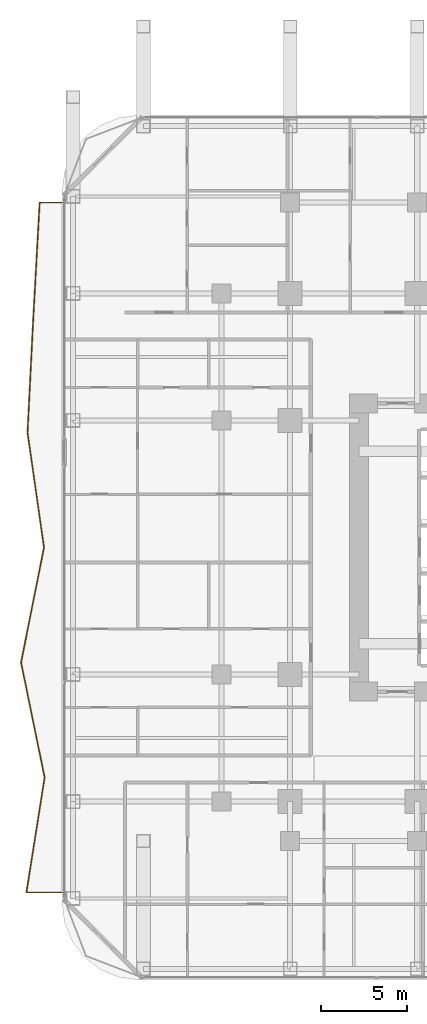
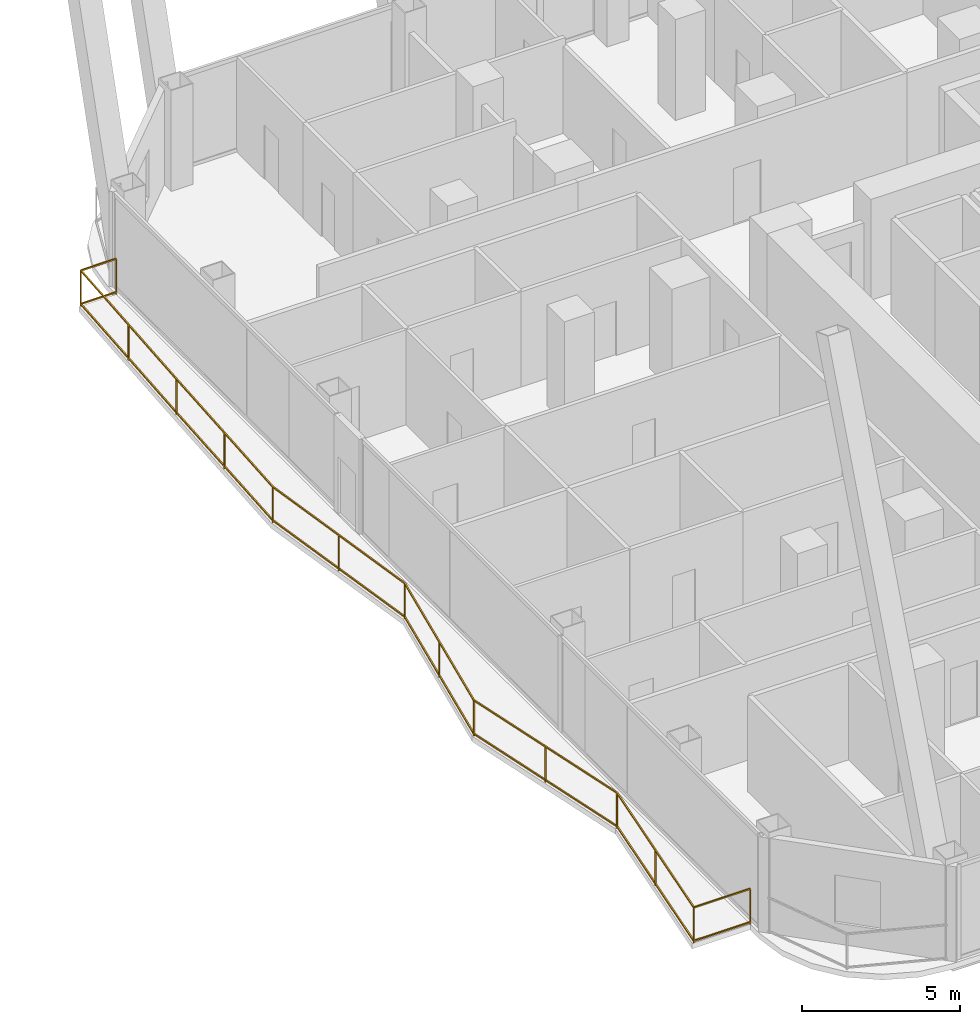
# One storey, part 30 of 33: 1 railing.
"""IFC4 building model written with IfcOpenShell, lengths in metres."""

from ifc_helpers import new_model, si_unit, direction, frame, origin, origin_2d, place, context, subcontext, project, spatial, rectangle, extrude, material, type_object, element, save


model = new_model("IFC4")

# Units and contexts
model_context = context("Model", 3, precision=1e-05, world=origin(), true_north=direction((0.0, 1.0)))
body_context = subcontext(model_context, "Body", "Model", "MODEL_VIEW")
ifc_project = project(units=[si_unit("LENGTHUNIT", "METRE"), si_unit("AREAUNIT", "SQUARE_METRE"), si_unit("VOLUMEUNIT", "CUBIC_METRE"), si_unit("PLANEANGLEUNIT", "RADIAN"), si_unit("MASSUNIT", "GRAM", prefix="KILO")], contexts=[model_context])

# Site, building, storey
site_placement = place(None, origin())
site = spatial("IfcSite", under=ifc_project, at=site_placement, CompositionType="ELEMENT")
building_placement = place(site_placement, origin())
building = spatial("IfcBuilding", under=site, at=building_placement, Name="Khorvyn Point Tower", CompositionType="ELEMENT")
storey_placement = place(building_placement, frame((0.0, 0.0, 65.699951171875)))
storey = spatial("IfcBuildingStorey", under=building, at=storey_placement, Name="L17", CompositionType="ELEMENT", Elevation=65.699951171875)

# Railing
ifc_material = material(Name="Anodised aluminium 6063-T6 and laminated safety glass", Category="aluminium")
railing_type = type_object("IfcRailingType", Name="Laminated Glass and Aluminium Balcony Guardrail 1400", PredefinedType="BALUSTRADE", material=ifc_material)
railing_placement = place(storey_placement, frame((-28.10009765625, 20.10009765625, 0.0)))
element("IfcRailing", 1, at=railing_placement, inside=storey, type_object=railing_type, Name="L17 West Balcony Guardrail", PredefinedType="BALUSTRADE", context=body_context, shape_type="SweptSolid", body=[
    extrude(rectangle(XDim=0.048095703125, YDim=0.048095703125, at=origin_2d()), frame((0.0, 0.0, 1.3759765625), z_axis=(-1.0, 0.0, 0.0), x_axis=(0.0, -1.0, 0.0)), (0.0, 0.0, 1.0), 1.294921875),
    extrude(rectangle(XDim=0.048095703125, YDim=0.048095703125, at=origin_2d()), frame((0.0, 0.0, 0.080078125), z_axis=(-1.0, 0.0, 0.0), x_axis=(0.0, -1.0, 0.0)), (0.0, 0.0, 1.0), 1.294921875),
    extrude(rectangle(XDim=0.048095703125, YDim=0.048095703125, at=origin_2d()), frame((-1.294921875, 0.0, 1.3759765625), z_axis=(-0.055445839712, -0.99846169624, 0.0), x_axis=(0.99846169624, -0.055445839713, 0.0)), (0.0, 0.0, 1.0), 6.71044921875),
    extrude(rectangle(XDim=0.048095703125, YDim=0.048095703125, at=origin_2d()), frame((-1.294921875, 0.0, 0.080078125), z_axis=(-0.055445839712, -0.99846169624, 0.0), x_axis=(0.99846169624, -0.055445839713, 0.0)), (0.0, 0.0, 1.0), 6.71044921875),
    extrude(rectangle(XDim=0.048095703125, YDim=0.048095703125, at=origin_2d()), frame((-1.6669921875, -6.7001953125, 1.3759765625), z_axis=(-0.050149985773, -0.998741697801, 0.0), x_axis=(0.998741697801, -0.050149985773, 0.0)), (0.0, 0.0, 1.0), 6.70849609375),
    extrude(rectangle(XDim=0.048095703125, YDim=0.048095703125, at=origin_2d()), frame((-1.6669921875, -6.7001953125, 0.080078125), z_axis=(-0.050149985773, -0.998741697801, 0.0), x_axis=(0.998741697801, -0.050149985773, 0.0)), (0.0, 0.0, 1.0), 6.70849609375),
    extrude(rectangle(XDim=0.048095703125, YDim=0.048095703125, at=origin_2d()), frame((-2.00341796875, -13.400146484375, 1.3759765625), z_axis=(0.141724348985, -0.989906161666, 0.0), x_axis=(0.989906161666, 0.141724348985, 0.0)), (0.0, 0.0, 1.0), 6.768310546875),
    extrude(rectangle(XDim=0.048095703125, YDim=0.048095703125, at=origin_2d()), frame((-2.00341796875, -13.400146484375, 0.080078125), z_axis=(0.141724348985, -0.989906161666, 0.0), x_axis=(0.989906161666, 0.141724348985, 0.0)), (0.0, 0.0, 1.0), 6.768310546875),
    extrude(rectangle(XDim=0.048095703125, YDim=0.048095703125, at=origin_2d()), frame((-1.044189453125, -20.10009765625, 1.3759765625), z_axis=(-0.195717542461, -0.980660309981, 0.0), x_axis=(0.980660309981, -0.195717542461, 0.0)), (0.0, 0.0, 1.0), 6.83203125),
    extrude(rectangle(XDim=0.048095703125, YDim=0.048095703125, at=origin_2d()), frame((-1.044189453125, -20.10009765625, 0.080078125), z_axis=(-0.195717542461, -0.980660309981, 0.0), x_axis=(0.980660309981, -0.195717542461, 0.0)), (0.0, 0.0, 1.0), 6.83203125),
    extrude(rectangle(XDim=0.048095703125, YDim=0.048095703125, at=origin_2d()), frame((-2.38134765625, -26.800048828125, 1.3759765625), z_axis=(0.200898470326, -0.979612068434, 0.0), x_axis=(0.979612068434, 0.200898470326, 0.0)), (0.0, 0.0, 1.0), 6.83935546875),
    extrude(rectangle(XDim=0.048095703125, YDim=0.048095703125, at=origin_2d()), frame((-2.38134765625, -26.800048828125, 0.080078125), z_axis=(0.200898470326, -0.979612068434, 0.0), x_axis=(0.979612068434, 0.200898470326, 0.0)), (0.0, 0.0, 1.0), 6.83935546875),
    extrude(rectangle(XDim=0.048095703125, YDim=0.048095703125, at=origin_2d()), frame((-1.00732421875, -33.5, 1.3759765625), z_axis=(-0.156374689128, -0.987697806315, 0.0), x_axis=(0.987697806315, -0.156374689128, 0.0)), (0.0, 0.0, 1.0), 6.78369140625),
    extrude(rectangle(XDim=0.048095703125, YDim=0.048095703125, at=origin_2d()), frame((-1.00732421875, -33.5, 0.080078125), z_axis=(-0.156374689128, -0.987697806315, 0.0), x_axis=(0.987697806315, -0.156374689128, 0.0)), (0.0, 0.0, 1.0), 6.78369140625),
    extrude(rectangle(XDim=0.048095703125, YDim=0.048095703125, at=origin_2d()), frame((-2.068115234375, -40.2001953125, 1.3759765625), z_axis=(1.0, 0.0, 0.0), x_axis=(0.0, 1.0, 0.0)), (0.0, 0.0, 1.0), 2.068115234375),
    extrude(rectangle(XDim=0.048095703125, YDim=0.048095703125, at=origin_2d()), frame((-2.068115234375, -40.2001953125, 0.080078125), z_axis=(1.0, 0.0, 0.0), x_axis=(0.0, 1.0, 0.0)), (0.0, 0.0, 1.0), 2.068115234375),
    extrude(rectangle(XDim=0.0419921875, YDim=0.0419921875, at=origin_2d()), origin(), (0.0, 0.0, 1.0), 1.351806640625),
    extrude(rectangle(XDim=0.0419921875, YDim=0.0419921875, at=origin_2d()), frame((-1.294921875, 0.0, 0.0)), (0.0, 0.0, 1.0), 1.351806640625),
    extrude(rectangle(XDim=0.0419921875, YDim=0.0419921875, at=origin_2d()), frame((-1.48095703125, -3.35009765625, 0.0)), (0.0, 0.0, 1.0), 1.351806640625),
    extrude(rectangle(XDim=0.0419921875, YDim=0.0419921875, at=origin_2d()), frame((-1.6669921875, -6.7001953125, 0.0)), (0.0, 0.0, 1.0), 1.351806640625),
    extrude(rectangle(XDim=0.0419921875, YDim=0.0419921875, at=origin_2d()), frame((-1.835205078125, -10.05029296875, 0.0)), (0.0, 0.0, 1.0), 1.351806640625),
    extrude(rectangle(XDim=0.0419921875, YDim=0.0419921875, at=origin_2d()), frame((-2.00341796875, -13.400146484375, 0.0)), (0.0, 0.0, 1.0), 1.351806640625),
    extrude(rectangle(XDim=0.0419921875, YDim=0.0419921875, at=origin_2d()), frame((-1.52392578125, -16.75, 0.0)), (0.0, 0.0, 1.0), 1.351806640625),
    extrude(rectangle(XDim=0.0419921875, YDim=0.0419921875, at=origin_2d()), frame((-1.044189453125, -20.10009765625, 0.0)), (0.0, 0.0, 1.0), 1.351806640625),
    extrude(rectangle(XDim=0.0419921875, YDim=0.0419921875, at=origin_2d()), frame((-1.712890625, -23.4501953125, 0.0)), (0.0, 0.0, 1.0), 1.351806640625),
    extrude(rectangle(XDim=0.0419921875, YDim=0.0419921875, at=origin_2d()), frame((-2.38134765625, -26.800048828125, 0.0)), (0.0, 0.0, 1.0), 1.351806640625),
    extrude(rectangle(XDim=0.0419921875, YDim=0.0419921875, at=origin_2d()), frame((-1.6943359375, -30.14990234375, 0.0)), (0.0, 0.0, 1.0), 1.351806640625),
    extrude(rectangle(XDim=0.0419921875, YDim=0.0419921875, at=origin_2d()), frame((-1.00732421875, -33.5, 0.0)), (0.0, 0.0, 1.0), 1.351806640625),
    extrude(rectangle(XDim=0.0419921875, YDim=0.0419921875, at=origin_2d()), frame((-1.53759765625, -36.85009765625, 0.0)), (0.0, 0.0, 1.0), 1.351806640625),
    extrude(rectangle(XDim=0.0419921875, YDim=0.0419921875, at=origin_2d()), frame((-2.068115234375, -40.2001953125, 0.0)), (0.0, 0.0, 1.0), 1.351806640625),
    extrude(rectangle(XDim=0.0419921875, YDim=0.0419921875, at=origin_2d()), frame((0.0, -40.2001953125, 0.0)), (0.0, 0.0, 1.0), 1.351806640625),
])

save(model, "model.ifc")
